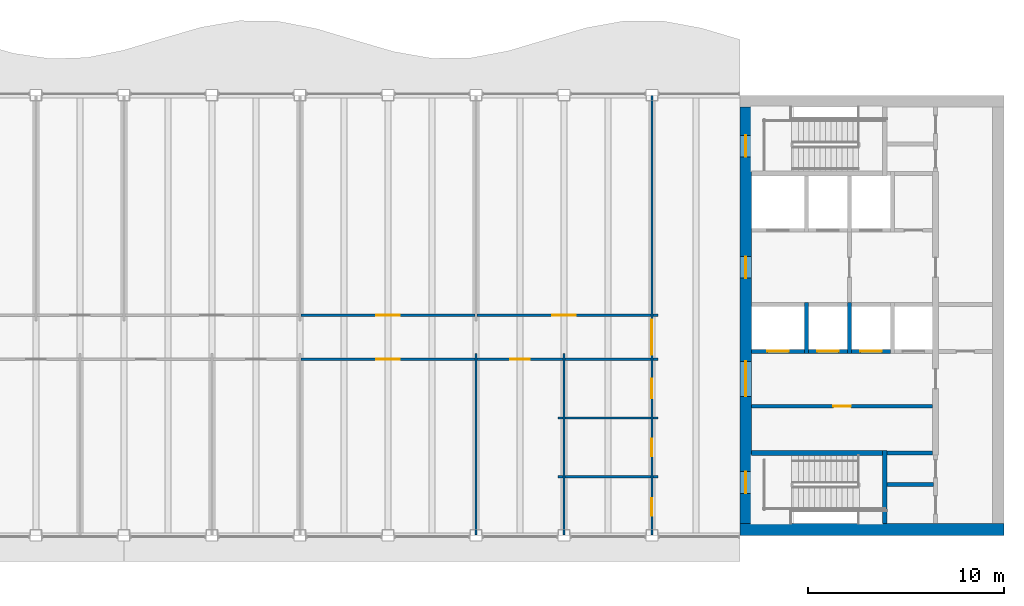
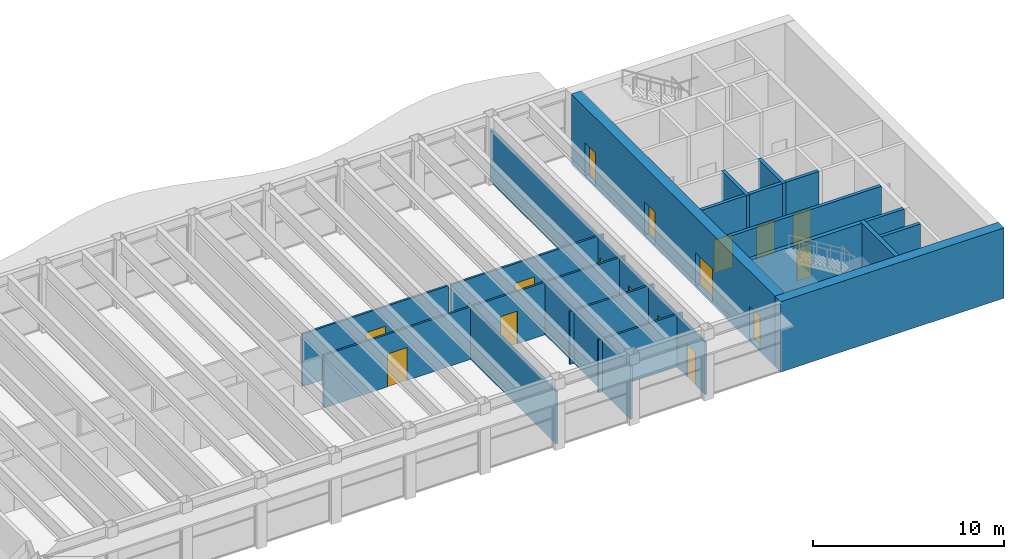
# One storey, part 9 of 14: 28 walls, 16 doors, 16 openings.
"""IFC4 building model written with IfcOpenShell, lengths in metres."""

from ifc_helpers import new_model, si_unit, direction, frame, frame_2d, origin, place, context, subcontext, project, spatial, rectangle, extrude, material, layer, layer_set, type_object, element, fill, save


model = new_model("IFC4")

# Units and contexts
model_context = context("Model", 3, precision=1e-05, world=origin(), true_north=direction((0.0, 1.0)))
body_context = subcontext(model_context, "Body", "Model", "MODEL_VIEW")
ifc_project = project(units=[si_unit("LENGTHUNIT", "METRE"), si_unit("AREAUNIT", "SQUARE_METRE"), si_unit("VOLUMEUNIT", "CUBIC_METRE"), si_unit("PLANEANGLEUNIT", "RADIAN"), si_unit("MASSUNIT", "GRAM", prefix="KILO")], contexts=[model_context])

# Site, building, storey
site_placement = place(None, origin())
site = spatial("IfcSite", under=ifc_project, at=site_placement, CompositionType="ELEMENT")
building_placement = place(site_placement, origin())
building = spatial("IfcBuilding", under=site, at=building_placement, Name="Sennacour Bend Tower", CompositionType="ELEMENT")
storey_placement = place(building_placement, frame((0.0, 0.0, 327.5)))
storey = spatial("IfcBuildingStorey", under=building, at=storey_placement, Name="L75", CompositionType="ELEMENT", Elevation=327.5)

# Wall
ifc_material_1 = material(Name="Concrete C50/60", Category="concrete")
ifc_layer_1 = layer(ifc_material_1, 0.60009765625, Name="Concrete C50/60", Category="concrete")
ifc_layer_set_1 = layer_set([ifc_layer_1], Name="Concrete C50/60")
wall_type_1 = type_object("IfcWallType", Name="Core wall 600 C50/60", PredefinedType="SHEAR", material=ifc_layer_set_1)
wall_1_placement = place(storey_placement, frame((67.5, 0.300048828125, -0.14990234375), z_axis=(0.0, 0.0, 1.0), x_axis=(-1.0, 0.0, 0.0)))
element("IfcWall", 1, at=wall_1_placement, inside=storey, type_object=wall_type_1, Name="Core A wall L75 S", PredefinedType="SHEAR", context=body_context, shape_type="SweptSolid", body=[
    extrude(rectangle(XDim=13.5, YDim=0.60009765625, at=frame_2d((6.75, 0.0))), origin(), (0.0, 0.0, 1.0), 4.5),
])

# Wall, openings, doors
wall_2_placement = place(storey_placement, frame((54.300048828125, 0.60009765625, -0.14990234375), z_axis=(0.0, 0.0, 1.0), x_axis=(0.0, 1.0, 0.0)))
wall_2 = element("IfcWall", 2, at=wall_2_placement, inside=storey, type_object=wall_type_1, Name="Core A wall L75 W", PredefinedType="SHEAR", context=body_context, shape_type="SweptSolid", body=[
    extrude(rectangle(XDim=21.2998046875, YDim=0.60009765625, at=frame_2d((10.64990234375, 0.0))), origin(), (0.0, 0.0, 1.0), 4.5),
])
opening_1_placement = place(wall_2_placement, frame((6.5, 0.0, 0.14990234375)))
opening_1 = element("IfcOpeningElement", 3, at=opening_1_placement, cuts=wall_2, Name="Opening CD", PredefinedType="OPENING", context=body_context, shape_type="SweptSolid", body=[
    extrude(rectangle(XDim=1.800048828125, YDim=2.10009765625, at=frame_2d((0.89990234375, 1.050048828125))), frame((0.0, 0.31005859375, 0.0), z_axis=(0.0, -1.0, 0.0), x_axis=(1.0, 0.0, 0.0)), (0.0, 0.0, 1.0), 0.6201171875),
])
opening_2_placement = place(wall_2_placement, frame((12.550048828125, 0.0, 0.14990234375)))
opening_2 = element("IfcOpeningElement", 4, at=opening_2_placement, cuts=wall_2, Name="Opening FD", PredefinedType="OPENING", context=body_context, shape_type="SweptSolid", body=[
    extrude(rectangle(XDim=1.10009765625, YDim=2.10009765625, at=frame_2d((0.550048828125, 1.050048828125))), frame((0.0, 0.31005859375, 0.0), z_axis=(0.0, -1.0, 0.0), x_axis=(1.0, 0.0, 0.0)), (0.0, 0.0, 1.0), 0.6201171875),
])
opening_3_placement = place(wall_2_placement, frame((1.550048828125, 0.0, 0.14990234375)))
opening_3 = element("IfcOpeningElement", 5, at=opening_3_placement, cuts=wall_2, Name="Opening SD", PredefinedType="OPENING", context=body_context, shape_type="SweptSolid", body=[
    extrude(rectangle(XDim=1.10009765625, YDim=2.10009765625, at=frame_2d((0.550048828125, 1.050048828125))), frame((0.0, 0.31005859375, 0.0), z_axis=(0.0, -1.0, 0.0), x_axis=(1.0, 0.0, 0.0)), (0.0, 0.0, 1.0), 0.6201171875),
])
opening_4_placement = place(wall_2_placement, frame((18.75, 0.0, 0.14990234375)))
opening_4 = element("IfcOpeningElement", 6, at=opening_4_placement, cuts=wall_2, Name="Opening SD", PredefinedType="OPENING", context=body_context, shape_type="SweptSolid", body=[
    extrude(rectangle(XDim=1.10009765625, YDim=2.10009765625, at=frame_2d((0.550048828125, 1.050048828125))), frame((0.0, 0.31005859375, 0.0), z_axis=(0.0, -1.0, 0.0), x_axis=(1.0, 0.0, 0.0)), (0.0, 0.0, 1.0), 0.6201171875),
])
ifc_material_2 = material(Name="Painted steel", Category="steel")
door_type_1 = type_object("IfcDoorType", Name="DR-FFL-1100", OperationType="NOTDEFINED", PredefinedType="DOOR", material=ifc_material_2)
door_1_placement = place(opening_2_placement, origin())
door_1 = element("IfcDoor", 7, at=door_1_placement, inside=storey, type_object=door_type_1, Name="Door", OperationType="SINGLE_SWING_RIGHT", OverallHeight=2.10009765625, OverallWidth=1.10009765625, PredefinedType="DOOR", context=body_context, shape_type="SweptSolid", body=[
    extrude(rectangle(XDim=1.10009765625, YDim=2.10009765625, at=frame_2d((0.550048828125, 1.050048828125))), frame((0.0, 0.02490234375, 0.0), z_axis=(0.0, -1.0, 0.0), x_axis=(1.0, 0.0, 0.0)), (0.0, 0.0, 1.0), 0.050048828125),
])
fill(opening_2, door_1)
door_type_2 = type_object("IfcDoorType", Name="DR-LOBBY-1800", OperationType="NOTDEFINED", PredefinedType="DOOR", material=ifc_material_2)
door_2_placement = place(opening_1_placement, origin())
door_2 = element("IfcDoor", 8, at=door_2_placement, inside=storey, type_object=door_type_2, Name="Door", OperationType="DOUBLE_DOOR_SINGLE_SWING", OverallHeight=2.10009765625, OverallWidth=1.800048828125, PredefinedType="DOOR", context=body_context, shape_type="SweptSolid", body=[
    extrude(rectangle(XDim=1.800048828125, YDim=2.10009765625, at=frame_2d((0.89990234375, 1.050048828125))), frame((0.0, 0.02490234375, 0.0), z_axis=(0.0, -1.0, 0.0), x_axis=(1.0, 0.0, 0.0)), (0.0, 0.0, 1.0), 0.050048828125),
])
fill(opening_1, door_2)
door_type_3 = type_object("IfcDoorType", Name="DR-STAIR-1100", OperationType="NOTDEFINED", PredefinedType="DOOR", material=ifc_material_2)
door_3_placement = place(opening_3_placement, origin())
door_3 = element("IfcDoor", 9, at=door_3_placement, inside=storey, type_object=door_type_3, Name="Door", OperationType="SINGLE_SWING_LEFT", OverallHeight=2.10009765625, OverallWidth=1.10009765625, PredefinedType="DOOR", context=body_context, shape_type="SweptSolid", body=[
    extrude(rectangle(XDim=1.10009765625, YDim=2.10009765625, at=frame_2d((0.550048828125, 1.050048828125))), frame((0.0, 0.02490234375, 0.0), z_axis=(0.0, -1.0, 0.0), x_axis=(1.0, 0.0, 0.0)), (0.0, 0.0, 1.0), 0.050048828125),
])
fill(opening_3, door_3)
door_4_placement = place(opening_4_placement, origin())
door_4 = element("IfcDoor", 10, at=door_4_placement, inside=storey, type_object=door_type_3, Name="Door", OperationType="SINGLE_SWING_RIGHT", OverallHeight=2.10009765625, OverallWidth=1.10009765625, PredefinedType="DOOR", context=body_context, shape_type="SweptSolid", body=[
    extrude(rectangle(XDim=1.10009765625, YDim=2.10009765625, at=frame_2d((0.550048828125, 1.050048828125))), frame((0.0, 0.02490234375, 0.0), z_axis=(0.0, -1.0, 0.0), x_axis=(1.0, 0.0, 0.0)), (0.0, 0.0, 1.0), 0.050048828125),
])
fill(opening_4, door_4)

# Walls
ifc_material_3 = material(Name="Plasterboard partition on steel studs", Category="steel")
ifc_layer_2 = layer(ifc_material_3, 0.1201171875, Name="Plasterboard partition on steel studs", Category="steel")
ifc_layer_set_2 = layer_set([ifc_layer_2], Name="Plasterboard partition on steel studs")
wall_type_2 = type_object("IfcWallType", Name="Partition 120", PredefinedType="PARTITIONING", material=ifc_layer_set_2)
for number, where, z_axis, x_axis, name in (
    (11, (40.5, 0.010009765625, 0.0), (0.0, 0.0, 1.0), (0.0, 1.0, 0.0), "P-L75-W014a"),
    (12, (45.0, 0.010009765625, 0.0), (0.0, 0.0, 1.0), (0.0, 1.0, 0.0), "P-L75-W016a"),
):
    element("IfcWall", number, at=place(storey_placement, frame(where, z_axis=z_axis, x_axis=x_axis)), inside=storey, type_object=wall_type_2, Name=name, PredefinedType="PARTITIONING", context=body_context, shape_type="SweptSolid", body=[
        extrude(rectangle(XDim=9.2900390625, YDim=0.1201171875, at=frame_2d((4.64501953125, 0.0))), origin(), (0.0, 0.0, 1.0), 3.35888671875),
    ])
wall_3_placement = place(storey_placement, frame((44.699951171875, 3.0, 0.0), z_axis=(0.0, 0.0, 1.0), x_axis=(1.0, 0.0, 0.0)))
element("IfcWall", 13, at=wall_3_placement, inside=storey, type_object=wall_type_2, Name="P-L75-W033aa", PredefinedType="PARTITIONING", context=body_context, shape_type="SweptSolid", body=[
    extrude(rectangle(XDim=0.239990234375, YDim=0.1201171875, at=frame_2d((0.1201171875, 0.0))), origin(), (0.0, 0.0, 1.0), 3.35888671875),
])
wall_4_placement = place(storey_placement, frame((45.06005859375, 3.0, 0.0), z_axis=(0.0, 0.0, 1.0), x_axis=(1.0, 0.0, 0.0)))
element("IfcWall", 14, at=wall_4_placement, inside=storey, type_object=wall_type_2, Name="P-L75-W033ab", PredefinedType="PARTITIONING", context=body_context, shape_type="SweptSolid", body=[
    extrude(rectangle(XDim=4.3798828125, YDim=0.1201171875, at=frame_2d((2.18994140625, 0.0))), origin(), (0.0, 0.0, 1.0), 3.35888671875),
])
for number, where, z_axis, x_axis, name in (
    (15, (49.56005859375, 3.0, 0.0), (0.0, 0.0, 1.0), (1.0, 0.0, 0.0), "P-L75-W033ac"),
    (16, (44.699951171875, 6.0, 0.0), (0.0, 0.0, 1.0), (1.0, 0.0, 0.0), "P-L75-W038aa"),
):
    element("IfcWall", number, at=place(storey_placement, frame(where, z_axis=z_axis, x_axis=x_axis)), inside=storey, type_object=wall_type_2, Name=name, PredefinedType="PARTITIONING", context=body_context, shape_type="SweptSolid", body=[
        extrude(rectangle(XDim=0.239990234375, YDim=0.1201171875, at=frame_2d((0.1201171875, 0.0))), origin(), (0.0, 0.0, 1.0), 3.35888671875),
    ])
wall_5_placement = place(storey_placement, frame((45.06005859375, 6.0, 0.0), z_axis=(0.0, 0.0, 1.0), x_axis=(1.0, 0.0, 0.0)))
element("IfcWall", 17, at=wall_5_placement, inside=storey, type_object=wall_type_2, Name="P-L75-W038ab", PredefinedType="PARTITIONING", context=body_context, shape_type="SweptSolid", body=[
    extrude(rectangle(XDim=4.3798828125, YDim=0.1201171875, at=frame_2d((2.18994140625, 0.0))), origin(), (0.0, 0.0, 1.0), 3.35888671875),
])
wall_6_placement = place(storey_placement, frame((49.56005859375, 6.0, 0.0), z_axis=(0.0, 0.0, 1.0), x_axis=(1.0, 0.0, 0.0)))
element("IfcWall", 18, at=wall_6_placement, inside=storey, type_object=wall_type_2, Name="P-L75-W038ac", PredefinedType="PARTITIONING", context=body_context, shape_type="SweptSolid", body=[
    extrude(rectangle(XDim=0.239990234375, YDim=0.1201171875, at=frame_2d((0.1201171875, 0.0))), origin(), (0.0, 0.0, 1.0), 3.35888671875),
])

# Wall, opening, door
wall_7_placement = place(storey_placement, frame((31.56005859375, 9.0, 0.0), z_axis=(0.0, 0.0, 1.0), x_axis=(1.0, 0.0, 0.0)))
wall_7 = element("IfcWall", 19, at=wall_7_placement, inside=storey, type_object=wall_type_2, Name="P-L75-W040af", PredefinedType="PARTITIONING", context=body_context, shape_type="SweptSolid", body=[
    extrude(rectangle(XDim=8.8798828125, YDim=0.1201171875, at=frame_2d((4.43994140625, 0.0))), origin(), (0.0, 0.0, 1.0), 3.35888671875),
])
opening_5_placement = place(wall_7_placement, frame((3.83984375, 0.0, 0.0)))
opening_5 = element("IfcOpeningElement", 20, at=opening_5_placement, cuts=wall_7, Name="Opening OD", PredefinedType="OPENING", context=body_context, shape_type="SweptSolid", body=[
    extrude(rectangle(XDim=1.199951171875, YDim=2.10009765625, at=frame_2d((0.60009765625, 1.050048828125))), frame((0.0, 0.070068359375, 0.0), z_axis=(0.0, -1.0, 0.0), x_axis=(1.0, 0.0, 0.0)), (0.0, 0.0, 1.0), 0.14013671875),
])
ifc_material_4 = material(Name="Timber", Category="wood")
door_type_4 = type_object("IfcDoorType", Name="DR-OFFICE-1200", OperationType="NOTDEFINED", PredefinedType="DOOR", material=ifc_material_4)
door_5_placement = place(opening_5_placement, origin())
door_5 = element("IfcDoor", 21, at=door_5_placement, inside=storey, type_object=door_type_4, Name="Door", OperationType="SINGLE_SWING_LEFT", OverallHeight=2.10009765625, OverallWidth=1.199951171875, PredefinedType="DOOR", context=body_context, shape_type="SweptSolid", body=[
    extrude(rectangle(XDim=1.199951171875, YDim=2.10009765625, at=frame_2d((0.60009765625, 1.050048828125))), frame((0.0, 0.02490234375, 0.0), z_axis=(0.0, -1.0, 0.0), x_axis=(1.0, 0.0, 0.0)), (0.0, 0.0, 1.0), 0.050048828125),
])
fill(opening_5, door_5)

wall_8_placement = place(storey_placement, frame((40.56005859375, 9.0, 0.0), z_axis=(0.0, 0.0, 1.0), x_axis=(1.0, 0.0, 0.0)))
wall_8 = element("IfcWall", 22, at=wall_8_placement, inside=storey, type_object=wall_type_2, Name="P-L75-W040ag", PredefinedType="PARTITIONING", context=body_context, shape_type="SweptSolid", body=[
    extrude(rectangle(XDim=4.3798828125, YDim=0.1201171875, at=frame_2d((2.18994140625, 0.0))), origin(), (0.0, 0.0, 1.0), 3.35888671875),
])
opening_6_placement = place(wall_8_placement, frame((1.68994140625, 0.0, 0.0)))
opening_6 = element("IfcOpeningElement", 23, at=opening_6_placement, cuts=wall_8, Name="Opening OD2", PredefinedType="OPENING", context=body_context, shape_type="SweptSolid", body=[
    extrude(rectangle(XDim=1.0, YDim=2.10009765625, at=frame_2d((0.5, 1.050048828125))), frame((0.0, 0.070068359375, 0.0), z_axis=(0.0, -1.0, 0.0), x_axis=(1.0, 0.0, 0.0)), (0.0, 0.0, 1.0), 0.14013671875),
])
door_type_5 = type_object("IfcDoorType", Name="DR-OFFICE-1000", OperationType="NOTDEFINED", PredefinedType="DOOR", material=ifc_material_4)
door_6_placement = place(opening_6_placement, origin())
door_6 = element("IfcDoor", 24, at=door_6_placement, inside=storey, type_object=door_type_5, Name="Door", OperationType="SINGLE_SWING_LEFT", OverallHeight=2.10009765625, OverallWidth=1.0, PredefinedType="DOOR", context=body_context, shape_type="SweptSolid", body=[
    extrude(rectangle(XDim=1.0, YDim=2.10009765625, at=frame_2d((0.5, 1.050048828125))), frame((0.0, 0.02490234375, 0.0), z_axis=(0.0, -1.0, 0.0), x_axis=(1.0, 0.0, 0.0)), (0.0, 0.0, 1.0), 0.050048828125),
])
fill(opening_6, door_6)

# Walls
wall_9_placement = place(storey_placement, frame((45.06005859375, 9.0, 0.0), z_axis=(0.0, 0.0, 1.0), x_axis=(1.0, 0.0, 0.0)))
element("IfcWall", 25, at=wall_9_placement, inside=storey, type_object=wall_type_2, Name="P-L75-W040ah", PredefinedType="PARTITIONING", context=body_context, shape_type="SweptSolid", body=[
    extrude(rectangle(XDim=4.3798828125, YDim=0.1201171875, at=frame_2d((2.18994140625, 0.0))), origin(), (0.0, 0.0, 1.0), 3.35888671875),
])
wall_10_placement = place(storey_placement, frame((49.56005859375, 9.0, 0.0), z_axis=(0.0, 0.0, 1.0), x_axis=(1.0, 0.0, 0.0)))
element("IfcWall", 26, at=wall_10_placement, inside=storey, type_object=wall_type_2, Name="P-L75-W040ai", PredefinedType="PARTITIONING", context=body_context, shape_type="SweptSolid", body=[
    extrude(rectangle(XDim=0.239990234375, YDim=0.1201171875, at=frame_2d((0.1201171875, 0.0))), origin(), (0.0, 0.0, 1.0), 3.35888671875),
])

# Wall, opening, door
wall_11_placement = place(storey_placement, frame((31.56005859375, 11.25, 0.0), z_axis=(0.0, 0.0, 1.0), x_axis=(1.0, 0.0, 0.0)))
wall_11 = element("IfcWall", 27, at=wall_11_placement, inside=storey, type_object=wall_type_2, Name="P-L75-W043ae", PredefinedType="PARTITIONING", context=body_context, shape_type="SweptSolid", body=[
    extrude(rectangle(XDim=8.8798828125, YDim=0.1201171875, at=frame_2d((4.43994140625, 0.0))), origin(), (0.0, 0.0, 1.0), 3.35888671875),
])
opening_7_placement = place(wall_11_placement, frame((3.83984375, 0.0, 0.0)))
opening_7 = element("IfcOpeningElement", 28, at=opening_7_placement, cuts=wall_11, Name="Opening MD", PredefinedType="OPENING", context=body_context, shape_type="SweptSolid", body=[
    extrude(rectangle(XDim=1.199951171875, YDim=2.10009765625, at=frame_2d((0.60009765625, 1.050048828125))), frame((0.0, 0.070068359375, 0.0), z_axis=(0.0, -1.0, 0.0), x_axis=(1.0, 0.0, 0.0)), (0.0, 0.0, 1.0), 0.14013671875),
])
door_type_6 = type_object("IfcDoorType", Name="DR-MEETING-1200", OperationType="NOTDEFINED", PredefinedType="DOOR", material=ifc_material_4)
door_7_placement = place(opening_7_placement, origin())
door_7 = element("IfcDoor", 29, at=door_7_placement, inside=storey, type_object=door_type_6, Name="Door", OperationType="SINGLE_SWING_LEFT", OverallHeight=2.10009765625, OverallWidth=1.199951171875, PredefinedType="DOOR", context=body_context, shape_type="SweptSolid", body=[
    extrude(rectangle(XDim=1.199951171875, YDim=2.10009765625, at=frame_2d((0.60009765625, 1.050048828125))), frame((0.0, 0.02490234375, 0.0), z_axis=(0.0, -1.0, 0.0), x_axis=(1.0, 0.0, 0.0)), (0.0, 0.0, 1.0), 0.050048828125),
])
fill(opening_7, door_7)

# Wall
wall_12_placement = place(storey_placement, frame((49.56005859375, 11.25, 0.0), z_axis=(0.0, 0.0, 1.0), x_axis=(1.0, 0.0, 0.0)))
element("IfcWall", 30, at=wall_12_placement, inside=storey, type_object=wall_type_2, Name="P-L75-W043ag", PredefinedType="PARTITIONING", context=body_context, shape_type="SweptSolid", body=[
    extrude(rectangle(XDim=0.239990234375, YDim=0.1201171875, at=frame_2d((0.1201171875, 0.0))), origin(), (0.0, 0.0, 1.0), 3.35888671875),
])

# Wall, openings, doors
ifc_layer_3 = layer(ifc_material_3, 0.1201171875, Name="Plasterboard partition on steel studs", Category="steel")
ifc_layer_set_3 = layer_set([ifc_layer_3], Name="Plasterboard partition on steel studs")
wall_type_3 = type_object("IfcWallType", Name="Partition 120 EI 30", PredefinedType="PARTITIONING", material=ifc_layer_set_3)
wall_13_placement = place(storey_placement, frame((49.5, 0.010009765625, 0.0), z_axis=(0.0, 0.0, 1.0), x_axis=(0.0, 1.0, 0.0)))
wall_13 = element("IfcWall", 31, at=wall_13_placement, inside=storey, type_object=wall_type_3, Name="P-L75-W017a", PredefinedType="PARTITIONING", context=body_context, shape_type="SweptSolid", body=[
    extrude(rectangle(XDim=22.47998046875, YDim=0.1201171875, at=frame_2d((11.239990234375, 0.0))), origin(), (0.0, 0.0, 1.0), 3.35888671875),
])
opening_8_placement = place(wall_13_placement, frame((9.215087890625, 0.0, 0.0)))
opening_8 = element("IfcOpeningElement", 32, at=opening_8_placement, cuts=wall_13, Name="Opening KD3", PredefinedType="OPENING", context=body_context, shape_type="SweptSolid", body=[
    extrude(rectangle(XDim=1.800048828125, YDim=2.10009765625, at=frame_2d((0.89990234375, 1.050048828125))), frame((0.0, 0.070068359375, 0.0), z_axis=(0.0, -1.0, 0.0), x_axis=(1.0, 0.0, 0.0)), (0.0, 0.0, 1.0), 0.14013671875),
])
opening_9_placement = place(wall_13_placement, frame((0.989990234375, 0.0, 0.0)))
opening_9 = element("IfcOpeningElement", 33, at=opening_9_placement, cuts=wall_13, Name="Opening WD", PredefinedType="OPENING", context=body_context, shape_type="SweptSolid", body=[
    extrude(rectangle(XDim=0.89990234375, YDim=2.10009765625, at=frame_2d((0.449951171875, 1.050048828125))), frame((0.0, 0.070068359375, 0.0), z_axis=(0.0, -1.0, 0.0), x_axis=(1.0, 0.0, 0.0)), (0.0, 0.0, 1.0), 0.14013671875),
])
opening_10_placement = place(wall_13_placement, frame((4.0400390625, 0.0, 0.0)))
opening_10 = element("IfcOpeningElement", 34, at=opening_10_placement, cuts=wall_13, Name="Opening WD", PredefinedType="OPENING", context=body_context, shape_type="SweptSolid", body=[
    extrude(rectangle(XDim=0.89990234375, YDim=2.10009765625, at=frame_2d((0.449951171875, 1.050048828125))), frame((0.0, 0.070068359375, 0.0), z_axis=(0.0, -1.0, 0.0), x_axis=(1.0, 0.0, 0.0)), (0.0, 0.0, 1.0), 0.14013671875),
])
opening_11_placement = place(wall_13_placement, frame((6.989990234375, 0.0, 0.0)))
opening_11 = element("IfcOpeningElement", 35, at=opening_11_placement, cuts=wall_13, Name="Opening AD", PredefinedType="OPENING", context=body_context, shape_type="SweptSolid", body=[
    extrude(rectangle(XDim=1.0, YDim=2.10009765625, at=frame_2d((0.5, 1.050048828125))), frame((0.0, 0.070068359375, 0.0), z_axis=(0.0, -1.0, 0.0), x_axis=(1.0, 0.0, 0.0)), (0.0, 0.0, 1.0), 0.14013671875),
])
door_type_7 = type_object("IfcDoorType", Name="DR-ACC-WC-1000", OperationType="NOTDEFINED", PredefinedType="DOOR", material=ifc_material_4)
door_8_placement = place(opening_11_placement, origin())
door_8 = element("IfcDoor", 36, at=door_8_placement, inside=storey, type_object=door_type_7, Name="Door", OperationType="SINGLE_SWING_LEFT", OverallHeight=2.10009765625, OverallWidth=1.0, PredefinedType="DOOR", context=body_context, shape_type="SweptSolid", body=[
    extrude(rectangle(XDim=1.0, YDim=2.10009765625, at=frame_2d((0.5, 1.050048828125))), frame((0.0, 0.02490234375, 0.0), z_axis=(0.0, -1.0, 0.0), x_axis=(1.0, 0.0, 0.0)), (0.0, 0.0, 1.0), 0.050048828125),
])
fill(opening_11, door_8)
door_type_8 = type_object("IfcDoorType", Name="DR-CORRIDOR-1800", OperationType="NOTDEFINED", PredefinedType="DOOR", material=ifc_material_2)
door_9_placement = place(opening_8_placement, origin())
door_9 = element("IfcDoor", 37, at=door_9_placement, inside=storey, type_object=door_type_8, Name="Door", OperationType="DOUBLE_DOOR_SINGLE_SWING", OverallHeight=2.10009765625, OverallWidth=1.800048828125, PredefinedType="DOOR", context=body_context, shape_type="SweptSolid", body=[
    extrude(rectangle(XDim=1.800048828125, YDim=2.10009765625, at=frame_2d((0.89990234375, 1.050048828125))), frame((0.0, 0.02490234375, 0.0), z_axis=(0.0, -1.0, 0.0), x_axis=(1.0, 0.0, 0.0)), (0.0, 0.0, 1.0), 0.050048828125),
])
fill(opening_8, door_9)
door_type_9 = type_object("IfcDoorType", Name="DR-WC-900", OperationType="NOTDEFINED", PredefinedType="DOOR", material=ifc_material_4)
door_10_placement = place(opening_9_placement, origin())
door_10 = element("IfcDoor", 38, at=door_10_placement, inside=storey, type_object=door_type_9, Name="Door", OperationType="SINGLE_SWING_LEFT", OverallHeight=2.10009765625, OverallWidth=0.89990234375, PredefinedType="DOOR", context=body_context, shape_type="SweptSolid", body=[
    extrude(rectangle(XDim=0.89990234375, YDim=2.10009765625, at=frame_2d((0.449951171875, 1.050048828125))), frame((0.0, 0.02490234375, 0.0), z_axis=(0.0, -1.0, 0.0), x_axis=(1.0, 0.0, 0.0)), (0.0, 0.0, 1.0), 0.050048828125),
])
fill(opening_9, door_10)
door_11_placement = place(opening_10_placement, origin())
door_11 = element("IfcDoor", 39, at=door_11_placement, inside=storey, type_object=door_type_9, Name="Door", OperationType="SINGLE_SWING_LEFT", OverallHeight=2.10009765625, OverallWidth=0.89990234375, PredefinedType="DOOR", context=body_context, shape_type="SweptSolid", body=[
    extrude(rectangle(XDim=0.89990234375, YDim=2.10009765625, at=frame_2d((0.449951171875, 1.050048828125))), frame((0.0, 0.02490234375, 0.0), z_axis=(0.0, -1.0, 0.0), x_axis=(1.0, 0.0, 0.0)), (0.0, 0.0, 1.0), 0.050048828125),
])
fill(opening_10, door_11)

# Wall, opening, door
ifc_layer_4 = layer(ifc_material_3, 0.1201171875, Name="Plasterboard partition on steel studs", Category="steel")
ifc_layer_set_4 = layer_set([ifc_layer_4], Name="Plasterboard partition on steel studs")
wall_type_4 = type_object("IfcWallType", Name="Partition 120 EI 60", PredefinedType="PARTITIONING", material=ifc_layer_set_4)
wall_14_placement = place(storey_placement, frame((40.56005859375, 11.25, 0.0), z_axis=(0.0, 0.0, 1.0), x_axis=(1.0, 0.0, 0.0)))
wall_14 = element("IfcWall", 40, at=wall_14_placement, inside=storey, type_object=wall_type_4, Name="P-L75-W043af", PredefinedType="PARTITIONING", context=body_context, shape_type="SweptSolid", body=[
    extrude(rectangle(XDim=8.8798828125, YDim=0.1201171875, at=frame_2d((4.43994140625, 0.0))), origin(), (0.0, 0.0, 1.0), 3.35888671875),
])
opening_12_placement = place(wall_14_placement, frame((3.83984375, 0.0, 0.0)))
opening_12 = element("IfcOpeningElement", 41, at=opening_12_placement, cuts=wall_14, Name="Opening SV5", PredefinedType="OPENING", context=body_context, shape_type="SweptSolid", body=[
    extrude(rectangle(XDim=1.199951171875, YDim=2.10009765625, at=frame_2d((0.60009765625, 1.050048828125))), frame((0.0, 0.070068359375, 0.0), z_axis=(0.0, -1.0, 0.0), x_axis=(1.0, 0.0, 0.0)), (0.0, 0.0, 1.0), 0.14013671875),
])
door_type_10 = type_object("IfcDoorType", Name="DR-SERVICE-1200", OperationType="NOTDEFINED", PredefinedType="DOOR", material=ifc_material_2)
door_12_placement = place(opening_12_placement, origin())
door_12 = element("IfcDoor", 42, at=door_12_placement, inside=storey, type_object=door_type_10, Name="Door", OperationType="SINGLE_SWING_LEFT", OverallHeight=2.10009765625, OverallWidth=1.199951171875, PredefinedType="DOOR", context=body_context, shape_type="SweptSolid", body=[
    extrude(rectangle(XDim=1.199951171875, YDim=2.10009765625, at=frame_2d((0.60009765625, 1.050048828125))), frame((0.0, 0.02490234375, 0.0), z_axis=(0.0, -1.0, 0.0), x_axis=(1.0, 0.0, 0.0)), (0.0, 0.0, 1.0), 0.050048828125),
])
fill(opening_12, door_12)

# Walls
ifc_material_5 = material(Name="Fire-rated plasterboard partition on steel studs", Category="steel")
ifc_layer_5 = layer(ifc_material_5, 0.199951171875, Name="Fire-rated plasterboard partition on steel studs", Category="steel")
ifc_layer_set_5 = layer_set([ifc_layer_5], Name="Fire-rated plasterboard partition on steel studs")
wall_type_5 = type_object("IfcWallType", Name="Rated partition 200", PredefinedType="PARTITIONING", material=ifc_layer_set_5)
wall_15_placement = place(storey_placement, frame((61.52490234375, 2.60009765625, 0.0), z_axis=(0.0, 0.0, 1.0), x_axis=(1.0, 0.0, 0.0)))
element("IfcWall", 43, at=wall_15_placement, inside=storey, type_object=wall_type_5, Name="P-L75-W032", PredefinedType="PARTITIONING", context=body_context, shape_type="SweptSolid", body=[
    extrude(rectangle(XDim=2.375, YDim=0.199951171875, at=frame_2d((1.1875, 0.0))), origin(), (0.0, 0.0, 1.0), 4.35009765625),
])
wall_16_placement = place(storey_placement, frame((61.52490234375, 4.199951171875, 0.0), z_axis=(0.0, 0.0, 1.0), x_axis=(1.0, 0.0, 0.0)))
element("IfcWall", 44, at=wall_16_placement, inside=storey, type_object=wall_type_5, Name="P-L75-W037", PredefinedType="PARTITIONING", context=body_context, shape_type="SweptSolid", body=[
    extrude(rectangle(XDim=2.3251953125, YDim=0.199951171875, at=frame_2d((1.16259765625, 0.0))), origin(), (0.0, 0.0, 1.0), 4.35009765625),
])

# Wall, opening, door
wall_17_placement = place(storey_placement, frame((54.60009765625, 6.60009765625, 0.0), z_axis=(0.0, 0.0, 1.0), x_axis=(1.0, 0.0, 0.0)))
wall_17 = element("IfcWall", 45, at=wall_17_placement, inside=storey, type_object=wall_type_5, Name="P-L75-W039", PredefinedType="PARTITIONING", context=body_context, shape_type="SweptSolid", body=[
    extrude(rectangle(XDim=9.25, YDim=0.199951171875, at=frame_2d((4.625, 0.0))), origin(), (0.0, 0.0, 1.0), 4.35009765625),
])
opening_13_placement = place(wall_17_placement, frame((4.1748046875, 0.0, 0.0)))
opening_13 = element("IfcOpeningElement", 46, at=opening_13_placement, cuts=wall_17, Name="Opening SV", PredefinedType="OPENING", context=body_context, shape_type="SweptSolid", body=[
    extrude(rectangle(XDim=0.89990234375, YDim=2.10009765625, at=frame_2d((0.449951171875, 1.050048828125))), frame((0.0, 0.10986328125, 0.0), z_axis=(0.0, -1.0, 0.0), x_axis=(1.0, 0.0, 0.0)), (0.0, 0.0, 1.0), 0.219970703125),
])
door_type_11 = type_object("IfcDoorType", Name="DR-SERVICE-900", OperationType="NOTDEFINED", PredefinedType="DOOR", material=ifc_material_2)
door_13_placement = place(opening_13_placement, origin())
door_13 = element("IfcDoor", 47, at=door_13_placement, inside=storey, type_object=door_type_11, Name="Door", OperationType="SINGLE_SWING_LEFT", OverallHeight=2.10009765625, OverallWidth=0.89990234375, PredefinedType="DOOR", context=body_context, shape_type="SweptSolid", body=[
    extrude(rectangle(XDim=0.89990234375, YDim=2.10009765625, at=frame_2d((0.449951171875, 1.050048828125))), frame((0.0, 0.02490234375, 0.0), z_axis=(0.0, -1.0, 0.0), x_axis=(1.0, 0.0, 0.0)), (0.0, 0.0, 1.0), 0.050048828125),
])
fill(opening_13, door_13)

# Walls
ifc_layer_6 = layer(ifc_material_1, 0.199951171875, Name="Concrete C50/60", Category="concrete")
ifc_layer_set_6 = layer_set([ifc_layer_6], Name="Concrete C50/60")
wall_type_6 = type_object("IfcWallType", Name="Shaft wall 200", PredefinedType="SOLIDWALL", material=ifc_layer_set_6)
for number, where, z_axis, x_axis, name in (
    (48, (57.39990234375, 9.300048828125, 0.0), (0.0, 0.0, 1.0), (0.0, 1.0, 0.0), "P-L75-W018"),
    (49, (59.60009765625, 9.300048828125, 0.0), (0.0, 0.0, 1.0), (0.0, 1.0, 0.0), "P-L75-W020"),
):
    element("IfcWall", number, at=place(storey_placement, frame(where, z_axis=z_axis, x_axis=x_axis)), inside=storey, type_object=wall_type_6, Name=name, PredefinedType="SOLIDWALL", context=body_context, shape_type="SweptSolid", body=[
        extrude(rectangle(XDim=2.599853515625, YDim=0.199951171875, at=frame_2d((1.2998046875, 0.0))), origin(), (0.0, 0.0, 1.0), 4.35009765625),
    ])

# Wall, opening, door
wall_18_placement = place(storey_placement, frame((54.60009765625, 9.39990234375, 0.0), z_axis=(0.0, 0.0, 1.0), x_axis=(1.0, 0.0, 0.0)))
wall_18 = element("IfcWall", 50, at=wall_18_placement, inside=storey, type_object=wall_type_6, Name="P-L75-W041a", PredefinedType="SOLIDWALL", context=body_context, shape_type="SweptSolid", body=[
    extrude(rectangle(XDim=2.699951171875, YDim=0.199951171875, at=frame_2d((1.35009765625, 0.0))), origin(), (0.0, 0.0, 1.0), 4.35009765625),
])
opening_14_placement = place(wall_18_placement, frame((0.7998046875, 0.0, 0.011962890625)))
opening_14 = element("IfcOpeningElement", 51, at=opening_14_placement, cuts=wall_18, Name="Opening LD", PredefinedType="OPENING", context=body_context, shape_type="SweptSolid", body=[
    extrude(rectangle(XDim=1.10009765625, YDim=2.10009765625, at=frame_2d((0.550048828125, 1.050048828125))), frame((0.0, 0.10986328125, 0.0), z_axis=(0.0, -1.0, 0.0), x_axis=(1.0, 0.0, 0.0)), (0.0, 0.0, 1.0), 0.219970703125),
])
ifc_material_6 = material(Name="Stainless steel", Category="steel")
door_type_12 = type_object("IfcDoorType", Name="DR-LANDING-1100", OperationType="NOTDEFINED", PredefinedType="DOOR", material=ifc_material_6)
door_14_placement = place(opening_14_placement, origin())
door_14 = element("IfcDoor", 52, at=door_14_placement, inside=storey, type_object=door_type_12, Name="Lift landing door HA1", OperationType="SLIDING_TO_LEFT", OverallHeight=2.10009765625, OverallWidth=1.10009765625, PredefinedType="DOOR", context=body_context, shape_type="SweptSolid", body=[
    extrude(rectangle(XDim=1.10009765625, YDim=2.10009765625, at=frame_2d((0.550048828125, 1.050048828125))), frame((0.0, 0.02490234375, 0.0), z_axis=(0.0, -1.0, 0.0), x_axis=(1.0, 0.0, 0.0)), (0.0, 0.0, 1.0), 0.050048828125),
])
fill(opening_14, door_14)

wall_19_placement = place(storey_placement, frame((57.5, 9.39990234375, 0.0), z_axis=(0.0, 0.0, 1.0), x_axis=(1.0, 0.0, 0.0)))
wall_19 = element("IfcWall", 53, at=wall_19_placement, inside=storey, type_object=wall_type_6, Name="P-L75-W041b", PredefinedType="SOLIDWALL", context=body_context, shape_type="SweptSolid", body=[
    extrude(rectangle(XDim=2.0, YDim=0.199951171875, at=frame_2d((1.0, 0.0))), origin(), (0.0, 0.0, 1.0), 4.35009765625),
])
opening_15_placement = place(wall_19_placement, frame((0.449951171875, 0.0, 0.011962890625)))
opening_15 = element("IfcOpeningElement", 54, at=opening_15_placement, cuts=wall_19, Name="Opening LD", PredefinedType="OPENING", context=body_context, shape_type="SweptSolid", body=[
    extrude(rectangle(XDim=1.10009765625, YDim=2.10009765625, at=frame_2d((0.550048828125, 1.050048828125))), frame((0.0, 0.10986328125, 0.0), z_axis=(0.0, -1.0, 0.0), x_axis=(1.0, 0.0, 0.0)), (0.0, 0.0, 1.0), 0.219970703125),
])
door_15_placement = place(opening_15_placement, origin())
door_15 = element("IfcDoor", 55, at=door_15_placement, inside=storey, type_object=door_type_12, Name="Lift landing door HA2", OperationType="SLIDING_TO_RIGHT", OverallHeight=2.10009765625, OverallWidth=1.10009765625, PredefinedType="DOOR", context=body_context, shape_type="SweptSolid", body=[
    extrude(rectangle(XDim=1.10009765625, YDim=2.10009765625, at=frame_2d((0.550048828125, 1.050048828125))), frame((0.0, 0.02490234375, 0.0), z_axis=(0.0, -1.0, 0.0), x_axis=(1.0, 0.0, 0.0)), (0.0, 0.0, 1.0), 0.050048828125),
])
fill(opening_15, door_15)

wall_20_placement = place(storey_placement, frame((59.699951171875, 9.39990234375, 0.0), z_axis=(0.0, 0.0, 1.0), x_axis=(1.0, 0.0, 0.0)))
wall_20 = element("IfcWall", 56, at=wall_20_placement, inside=storey, type_object=wall_type_6, Name="P-L75-W041c", PredefinedType="SOLIDWALL", context=body_context, shape_type="SweptSolid", body=[
    extrude(rectangle(XDim=2.0, YDim=0.199951171875, at=frame_2d((1.0, 0.0))), origin(), (0.0, 0.0, 1.0), 4.35009765625),
])
opening_16_placement = place(wall_20_placement, frame((0.449951171875, 0.0, 0.011962890625)))
opening_16 = element("IfcOpeningElement", 57, at=opening_16_placement, cuts=wall_20, Name="Opening LD", PredefinedType="OPENING", context=body_context, shape_type="SweptSolid", body=[
    extrude(rectangle(XDim=1.10009765625, YDim=2.10009765625, at=frame_2d((0.550048828125, 1.050048828125))), frame((0.0, 0.10986328125, 0.0), z_axis=(0.0, -1.0, 0.0), x_axis=(1.0, 0.0, 0.0)), (0.0, 0.0, 1.0), 0.219970703125),
])
door_16_placement = place(opening_16_placement, origin())
door_16 = element("IfcDoor", 58, at=door_16_placement, inside=storey, type_object=door_type_12, Name="Lift landing door HA3", OperationType="SLIDING_TO_LEFT", OverallHeight=2.10009765625, OverallWidth=1.10009765625, PredefinedType="DOOR", context=body_context, shape_type="SweptSolid", body=[
    extrude(rectangle(XDim=1.10009765625, YDim=2.10009765625, at=frame_2d((0.550048828125, 1.050048828125))), frame((0.0, 0.02490234375, 0.0), z_axis=(0.0, -1.0, 0.0), x_axis=(1.0, 0.0, 0.0)), (0.0, 0.0, 1.0), 0.050048828125),
])
fill(opening_16, door_16)

# Walls
ifc_material_7 = material(Name="Concrete C60/75", Category="concrete")
ifc_layer_7 = layer(ifc_material_7, 0.25, Name="Concrete C60/75", Category="concrete")
ifc_layer_set_7 = layer_set([ifc_layer_7], Name="Concrete C60/75")
wall_type_7 = type_object("IfcWallType", Name="Stair wall 250", PredefinedType="SHEAR", material=ifc_layer_set_7)
wall_21_placement = place(storey_placement, frame((61.39990234375, 0.60009765625, 0.0), z_axis=(0.0, 0.0, 1.0), x_axis=(0.0, 1.0, 0.0)))
element("IfcWall", 59, at=wall_21_placement, inside=storey, type_object=wall_type_7, Name="P-L75-W023", PredefinedType="SHEAR", context=body_context, shape_type="SweptSolid", body=[
    extrude(rectangle(XDim=3.724853515625, YDim=0.25, at=frame_2d((1.8623046875, 0.0))), origin(), (0.0, 0.0, 1.0), 4.35009765625),
])
wall_22_placement = place(storey_placement, frame((54.60009765625, 4.199951171875, 0.0), z_axis=(0.0, 0.0, 1.0), x_axis=(1.0, 0.0, 0.0)))
element("IfcWall", 60, at=wall_22_placement, inside=storey, type_object=wall_type_7, Name="P-L75-W036", PredefinedType="SHEAR", context=body_context, shape_type="SweptSolid", body=[
    extrude(rectangle(XDim=6.6748046875, YDim=0.25, at=frame_2d((3.33740234375, 0.0))), origin(), (0.0, 0.0, 1.0), 4.35009765625),
])

save(model, "model.ifc")
